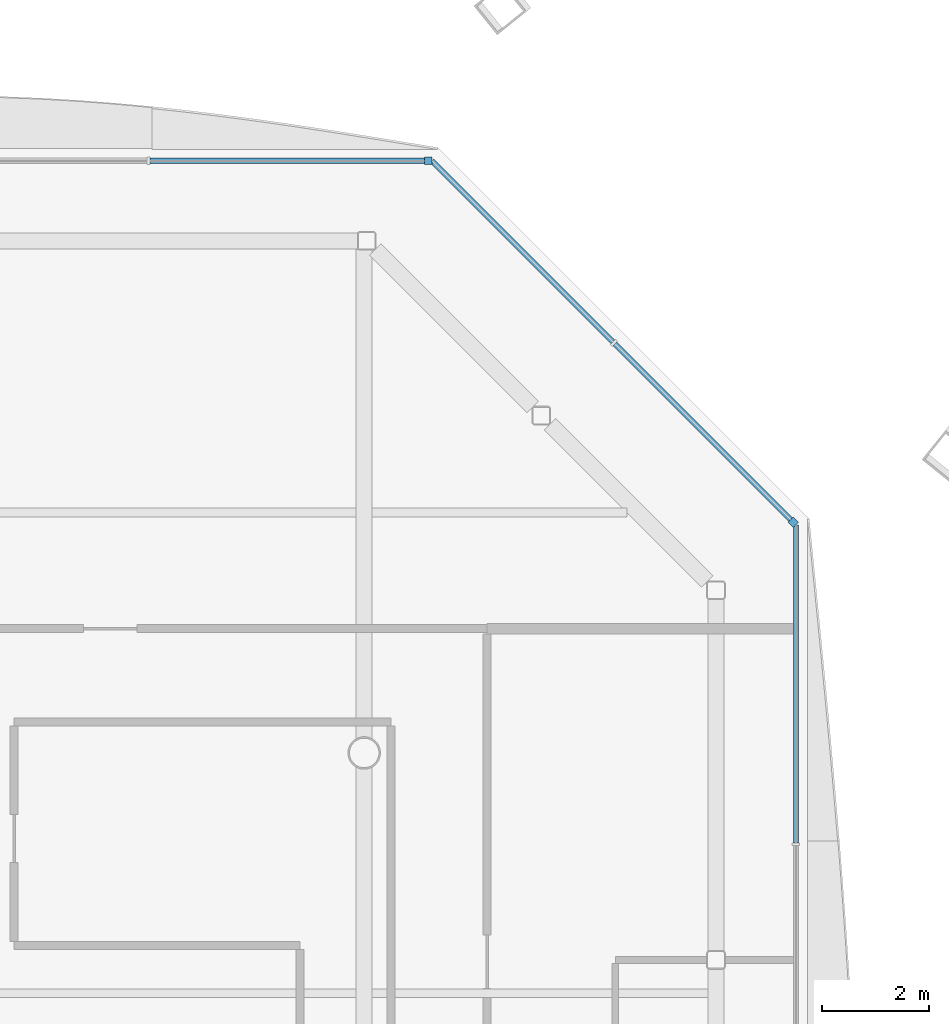
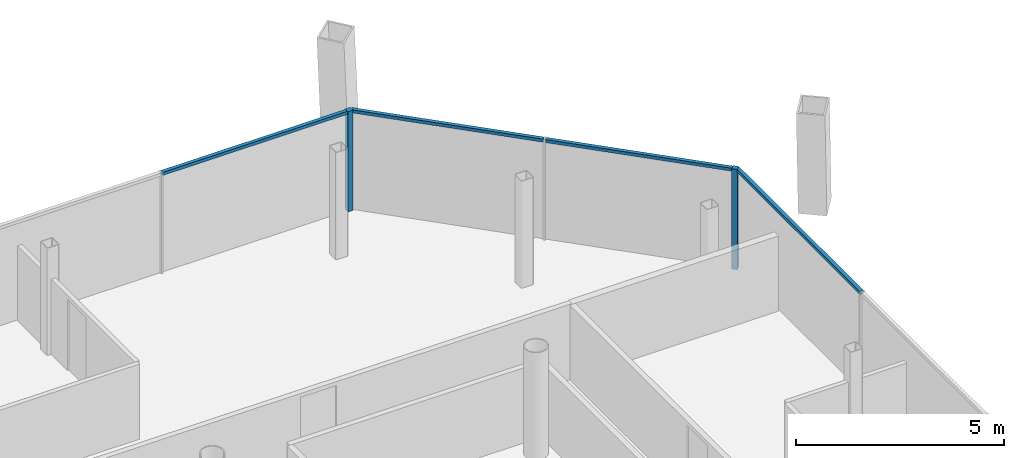
# One storey, part 12 of 20: 6 members, 3 elements without a shape of their own.
"""IFC4 building model written with IfcOpenShell, lengths in metres."""

from ifc_helpers import new_model, si_unit, direction, frame, origin, origin_2d, place, context, subcontext, project, spatial, rectangle, extrude, material, material_profile, profile_set, type_object, element, aggregate, save


model = new_model("IFC4")

# Units and contexts
model_context = context("Model", 3, precision=1e-05, world=origin(), true_north=direction((0.0, 1.0)))
body_context = subcontext(model_context, "Body", "Model", "MODEL_VIEW")
ifc_project = project(units=[si_unit("LENGTHUNIT", "METRE"), si_unit("AREAUNIT", "SQUARE_METRE"), si_unit("VOLUMEUNIT", "CUBIC_METRE"), si_unit("PLANEANGLEUNIT", "RADIAN"), si_unit("MASSUNIT", "GRAM", prefix="KILO")], contexts=[model_context])

# Site, building, storey
site_placement = place(None, origin())
site = spatial("IfcSite", under=ifc_project, at=site_placement, CompositionType="ELEMENT")
building_placement = place(site_placement, origin())
building = spatial("IfcBuilding", under=site, at=building_placement, Name="Tskaro Facet Tower", CompositionType="ELEMENT")
storey_placement = place(building_placement, frame((0.0, 0.0, 194.25)))
storey = spatial("IfcBuildingStorey", under=building, at=storey_placement, Name="L49", CompositionType="ELEMENT", Elevation=194.25)

# Curtain wall, member
ifc_material = material(Name="Bronze anodised aluminium 6063-T6", Category="aluminium")
curtain_wall_type = type_object("IfcCurtainWallType", Name="Bronze residence curtain wall (FW3)", PredefinedType="NOTDEFINED", material=ifc_material)
curtain_wall_1_placement = place(storey_placement, origin())
curtain_wall_1 = element("IfcCurtainWall", 1, at=curtain_wall_1_placement, inside=storey, type_object=curtain_wall_type, Name="FW3 north-east facet L49", PredefinedType="NOTDEFINED")
ifc_material_profile_1 = material_profile(ifc_material, rectangle(XDim=0.139892578125, YDim=0.139892578125, at=origin_2d()), Name="Corner post 140x140")
ifc_profile_set_1 = profile_set([ifc_material_profile_1], Name="Bronze anodised aluminium 6063-T6")
member_type_1 = type_object("IfcMemberType", Name="FW3 bronze corner post 140x140", PredefinedType="MULLION", material=ifc_profile_set_1)
member_1_placement = place(storey_placement, frame((17.030517578125, 13.319580078125, 0.0), z_axis=(0.0, 0.0, 1.0), x_axis=(-0.707106781187, 0.707106781187, 0.0)))
member_1 = element("IfcMember", 2, at=member_1_placement, type_object=member_type_1, Name="FW3 north-east corner post", PredefinedType="MULLION", context=body_context, shape_type="SweptSolid", body=[
    extrude(rectangle(XDim=0.139892578125, YDim=0.139892578125, at=origin_2d()), origin(), (0.0, 0.0, 1.0), 2.949951171875),
])

curtain_wall_2_placement = place(storey_placement, origin())
curtain_wall_2 = element("IfcCurtainWall", 3, at=curtain_wall_2_placement, inside=storey, type_object=curtain_wall_type, Name="FW3 north facet L49", PredefinedType="NOTDEFINED")
member_2_placement = place(storey_placement, frame((10.199951171875, 20.080078125, 0.0), z_axis=(0.0, 0.0, 1.0), x_axis=(-1.0, 0.0, 0.0)))
member_2 = element("IfcMember", 4, at=member_2_placement, type_object=member_type_1, Name="FW3 north corner post", PredefinedType="MULLION", context=body_context, shape_type="SweptSolid", body=[
    extrude(rectangle(XDim=0.139892578125, YDim=0.139892578125, at=origin_2d()), origin(), (0.0, 0.0, 1.0), 2.949951171875),
])

curtain_wall_3_placement = place(storey_placement, origin())
curtain_wall_3 = element("IfcCurtainWall", 5, at=curtain_wall_3_placement, inside=storey, type_object=curtain_wall_type, Name="FW3 east facet L49", PredefinedType="NOTDEFINED")
ifc_material_profile_2 = material_profile(ifc_material, rectangle(XDim=0.10009765625, YDim=0.090087890625, at=origin_2d()), Name="Transom 100x90")
ifc_profile_set_2 = profile_set([ifc_material_profile_2], Name="Bronze anodised aluminium 6063-T6")
member_type_2 = type_object("IfcMemberType", Name="FW3 bronze transom 100x90", PredefinedType="USERDEFINED", material=ifc_profile_set_2)
member_3_placement = place(storey_placement, frame((17.080078125, 7.3173828125, 2.905029296875), z_axis=(0.0, 1.0, 0.0), x_axis=(-1.0, 0.0, 0.0)))
member_3 = element("IfcMember", 6, at=member_3_placement, type_object=member_type_2, Name="FW3 east transom 5.1", ObjectType="TRANSOM", PredefinedType="USERDEFINED", context=body_context, shape_type="SweptSolid", body=[
    extrude(rectangle(XDim=0.10009765625, YDim=0.090087890625, at=origin_2d()), origin(), (0.0, 0.0, 1.0), 5.95263671875),
])
aggregate(curtain_wall_3, [member_3])

# Member
member_4_placement = place(storey_placement, frame((16.98095703125, 13.368896484375, 2.905029296875), z_axis=(-0.707106781187, 0.707106781187, 0.0), x_axis=(-0.707106781187, -0.707106781187, 0.0)))
member_4 = element("IfcMember", 7, at=member_4_placement, type_object=member_type_2, Name="FW3 north-east transom 1.1", ObjectType="TRANSOM", PredefinedType="USERDEFINED", context=body_context, shape_type="SweptSolid", body=[
    extrude(rectangle(XDim=0.10009765625, YDim=0.090087890625, at=origin_2d()), origin(), (0.0, 0.0, 1.0), 4.650390625),
])

member_5_placement = place(storey_placement, frame((13.6572265625, 16.692626953125, 2.905029296875), z_axis=(-0.707081298484, 0.707132262971, 0.0), x_axis=(-0.707132262971, -0.707081298484, 0.0)))
member_5 = element("IfcMember", 8, at=member_5_placement, type_object=member_type_2, Name="FW3 north-east transom 2.1", ObjectType="TRANSOM", PredefinedType="USERDEFINED", context=body_context, shape_type="SweptSolid", body=[
    extrude(rectangle(XDim=0.10009765625, YDim=0.090087890625, at=origin_2d()), origin(), (0.0, 0.0, 1.0), 4.79052734375),
])

aggregate(curtain_wall_1, [member_1, member_4, member_5])

member_6_placement = place(storey_placement, frame((10.1298828125, 20.080078125, 2.905029296875), z_axis=(-1.0, 0.0, 0.0), x_axis=(0.0, -1.0, 0.0)))
member_6 = element("IfcMember", 9, at=member_6_placement, type_object=member_type_2, Name="FW3 north transom 1.1", ObjectType="TRANSOM", PredefinedType="USERDEFINED", context=body_context, shape_type="SweptSolid", body=[
    extrude(rectangle(XDim=0.10009765625, YDim=0.090087890625, at=origin_2d()), origin(), (0.0, 0.0, 1.0), 5.142822265625),
])

aggregate(curtain_wall_2, [member_2, member_6])

save(model, "model.ifc")
